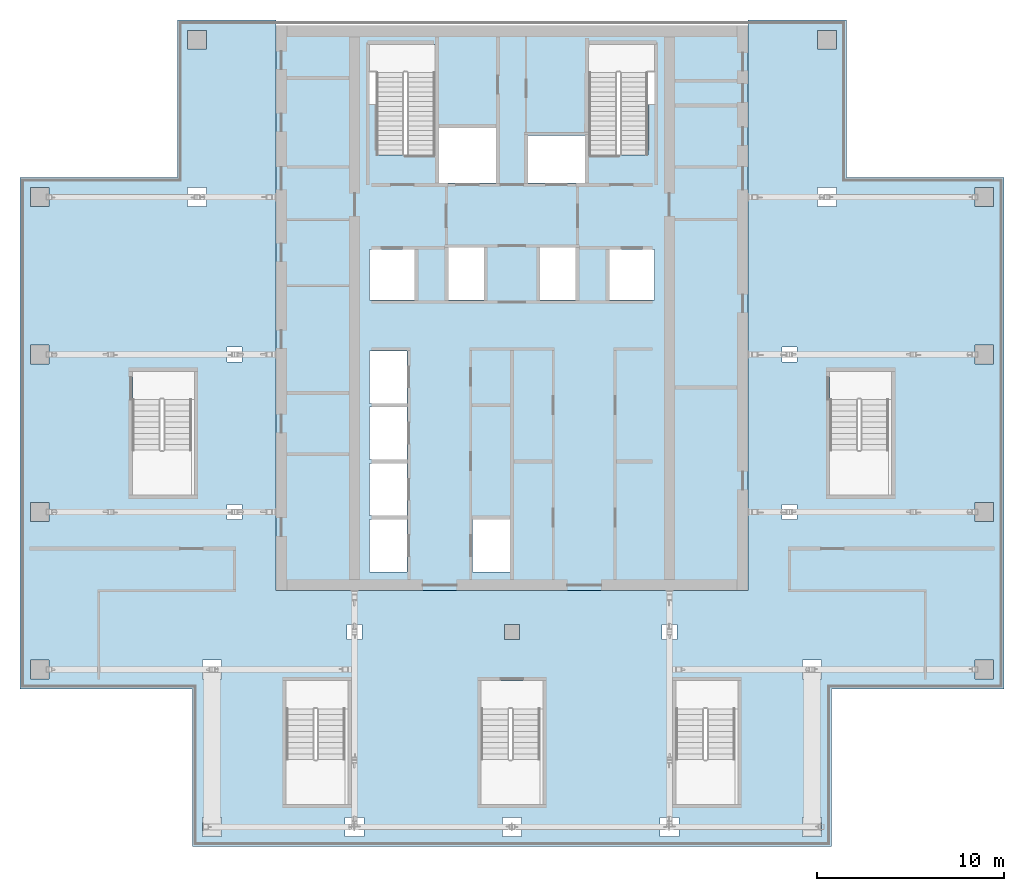
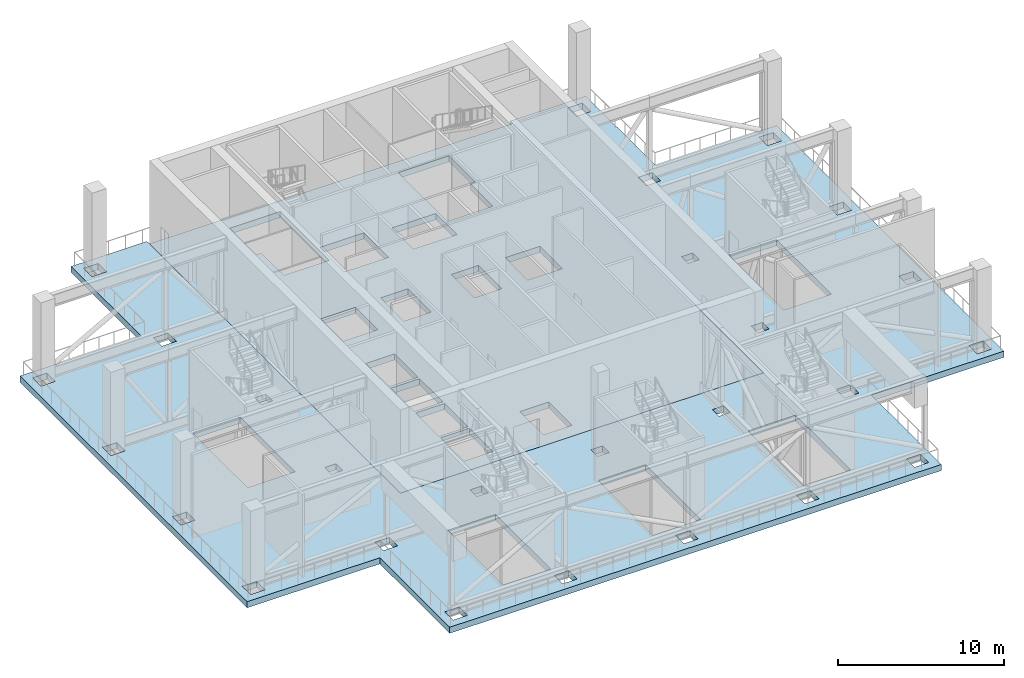
# One storey, part 7 of 24: 2 slabs.
"""IFC4 building model written with IfcOpenShell, lengths in metres."""

from ifc_helpers import new_model, si_unit, direction, frame, origin, place, context, subcontext, project, spatial, polyline, outline, extrude, material, layer, layer_set, type_object, element, save


model = new_model("IFC4")

# Units and contexts
model_context = context("Model", 3, precision=1e-05, world=origin(), true_north=direction((0.0, 1.0)))
body_context = subcontext(model_context, "Body", "Model", "MODEL_VIEW")
ifc_project = project(units=[si_unit("LENGTHUNIT", "METRE"), si_unit("AREAUNIT", "SQUARE_METRE"), si_unit("VOLUMEUNIT", "CUBIC_METRE"), si_unit("PLANEANGLEUNIT", "RADIAN"), si_unit("MASSUNIT", "GRAM", prefix="KILO")], contexts=[model_context])

# Site, building, storey
site_placement = place(None, origin())
site = spatial("IfcSite", under=ifc_project, at=site_placement, CompositionType="ELEMENT")
building_placement = place(site_placement, origin())
building = spatial("IfcBuilding", under=site, at=building_placement, Name="Vermilion Ogive Tower", CompositionType="ELEMENT")
storey_placement = place(building_placement, frame((0.0, 0.0, 216.949951171875)))
storey = spatial("IfcBuildingStorey", under=building, at=storey_placement, Name="L57", CompositionType="ELEMENT", Elevation=216.949951171875)

# Slabs
ifc_material_1 = material(Name="Concrete B40", Category="concrete")
ifc_layer_1 = layer(ifc_material_1, 0.449951171875)
ifc_layer_set_1 = layer_set([ifc_layer_1], Name="Core floor slab 450 B40")
slab_type_1 = type_object("IfcSlabType", Name="Core floor slab 450 B40", PredefinedType="FLOOR", material=ifc_layer_set_1)
slab_1_placement = place(storey_placement, frame((0.0, 0.0, -0.449951171875)))
element("IfcSlab", 1, at=slab_1_placement, inside=storey, type_object=slab_type_1, Name="L57-CK-FS1", PredefinedType="FLOOR", context=body_context, shape_type="SweptSolid", body=[
    extrude(outline(polyline([(12.60009765625, 21.75), (-12.60009765625, 21.75), (-12.60009765625, -8.39990234375), (12.60009765625, -8.39990234375), (12.60009765625, 21.75)]), holes=[polyline([(-7.60009765625, -7.39990234375), (-7.60009765625, -4.60009765625), (-5.60009765625, -4.60009765625), (-5.60009765625, -7.39990234375), (-7.60009765625, -7.39990234375)]), polyline([(-7.60009765625, -4.39990234375), (-7.60009765625, -1.60009765625), (-5.60009765625, -1.60009765625), (-5.60009765625, -4.39990234375), (-7.60009765625, -4.39990234375)]), polyline([(-7.60009765625, -1.39990234375), (-7.60009765625, 1.39990234375), (-5.60009765625, 1.39990234375), (-5.60009765625, -1.39990234375), (-7.60009765625, -1.39990234375)]), polyline([(-7.60009765625, 1.60009765625), (-7.60009765625, 4.39990234375), (-5.60009765625, 4.39990234375), (-5.60009765625, 1.60009765625), (-7.60009765625, 1.60009765625)]), polyline([(-7.60009765625, 7.10009765625), (-7.60009765625, 9.800048828125), (-5.199951171875, 9.800048828125), (-5.199951171875, 7.10009765625), (-7.60009765625, 7.10009765625)]), polyline([(-3.39990234375, 9.89990234375), (-1.5, 9.89990234375), (-1.5, 7.10009765625), (-3.39990234375, 7.10009765625), (-3.39990234375, 9.89990234375)]), polyline([(-7.60009765625, 17.550048828125), (-7.60009765625, 20.75), (-4.10009765625, 20.75), (-4.10009765625, 14.85205078125), (-5.60009765625, 14.85205078125), (-5.60009765625, 14.85009765625), (-5.75, 14.85009765625), (-5.75, 14.85205078125), (-7.25, 14.85205078125), (-7.25, 17.550048828125), (-7.60009765625, 17.550048828125)]), polyline([(-2.10009765625, -7.39990234375), (-2.10009765625, -4.60009765625), (-0.10009765625, -4.60009765625), (-0.10009765625, -7.39990234375), (-2.10009765625, -7.39990234375)]), polyline([(5.199951171875, 7.10009765625), (5.199951171875, 9.800048828125), (7.60009765625, 9.800048828125), (7.60009765625, 7.10009765625), (5.199951171875, 7.10009765625)]), polyline([(1.5, 7.10009765625), (1.5, 9.89990234375), (3.39990234375, 9.89990234375), (3.39990234375, 7.10009765625), (1.5, 7.10009765625)]), polyline([(0.85009765625, 13.35009765625), (0.85009765625, 15.89990234375), (3.89990234375, 15.89990234375), (3.89990234375, 13.35009765625), (0.85009765625, 13.35009765625)]), polyline([(-3.89990234375, 16.300048828125), (-0.85009765625, 16.300048828125), (-0.85009765625, 13.35009765625), (-3.89990234375, 13.35009765625), (-3.89990234375, 16.300048828125)]), polyline([(5.75, 14.85009765625), (5.60009765625, 14.85009765625), (5.60009765625, 14.85205078125), (4.10009765625, 14.85205078125), (4.10009765625, 17.550048828125), (4.074951171875, 17.550048828125), (4.074951171875, 20.75), (7.60009765625, 20.75), (7.60009765625, 17.550048828125), (7.25, 17.550048828125), (7.25, 14.85205078125), (5.75, 14.85205078125), (5.75, 14.85009765625)])]), origin(), (0.0, 0.0, 1.0), 0.449951171875),
])
ifc_material_2 = material(Name="Concrete B45", Category="concrete")
ifc_layer_2 = layer(ifc_material_2, 0.449951171875)
ifc_layer_set_2 = layer_set([ifc_layer_2], Name="Post-tensioned flat plate 450 B45")
slab_type_2 = type_object("IfcSlabType", Name="Post-tensioned flat plate 450 B45", PredefinedType="FLOOR", material=ifc_layer_set_2)
slab_2_placement = place(storey_placement, frame((0.0, 0.0, -0.449951171875)))
element("IfcSlab", 2, at=slab_2_placement, inside=storey, type_object=slab_type_2, Name="L57-SL-1", PredefinedType="FLOOR", context=body_context, shape_type="SweptSolid", body=[
    extrude(outline(polyline([(-17.050048828125, -13.64990234375), (-26.25, -13.64990234375), (-26.25, 13.64990234375), (-17.85009765625, 13.64990234375), (-17.85009765625, 22.050048828125), (-12.60009765625, 22.050048828125), (-12.60009765625, -8.39990234375), (12.60009765625, -8.39990234375), (12.60009765625, 22.050048828125), (17.85009765625, 22.050048828125), (17.85009765625, 13.64990234375), (26.25, 13.64990234375), (26.25, -13.64990234375), (17.050048828125, -13.64990234375), (17.050048828125, -22.050048828125), (-17.050048828125, -22.050048828125), (-17.050048828125, -13.64990234375)]), holes=[polyline([(25.699951171875, 12.10009765625), (25.699951171875, 13.10009765625), (24.699951171875, 13.10009765625), (24.699951171875, 12.10009765625), (25.699951171875, 12.10009765625)]), polyline([(25.699951171875, 3.699951171875), (25.699951171875, 4.699951171875), (24.699951171875, 4.699951171875), (24.699951171875, 3.699951171875), (25.699951171875, 3.699951171875)]), polyline([(25.699951171875, -4.699951171875), (25.699951171875, -3.699951171875), (24.699951171875, -3.699951171875), (24.699951171875, -4.699951171875), (25.699951171875, -4.699951171875)]), polyline([(25.699951171875, -13.10009765625), (25.699951171875, -12.10009765625), (24.699951171875, -12.10009765625), (24.699951171875, -13.10009765625), (25.699951171875, -13.10009765625)]), polyline([(20.25, -3.300048828125), (20.25, 3.300048828125), (16.949951171875, 3.300048828125), (16.949951171875, -3.300048828125), (20.25, -3.300048828125)]), polyline([(17.300048828125, 12.10009765625), (17.300048828125, 13.10009765625), (16.300048828125, 13.10009765625), (16.300048828125, 12.10009765625), (17.300048828125, 12.10009765625)]), polyline([(17.300048828125, 20.5), (17.300048828125, 21.5), (16.300048828125, 21.5), (16.300048828125, 20.5), (17.300048828125, 20.5)]), polyline([(16.5, -13.10009765625), (16.5, -12.10009765625), (15.5, -12.10009765625), (15.5, -13.10009765625), (16.5, -13.10009765625)]), polyline([(16.5, -21.5), (16.5, -20.5), (15.5, -20.5), (15.5, -21.5), (16.5, -21.5)]), polyline([(15.199951171875, 3.800048828125), (15.199951171875, 4.60009765625), (14.39990234375, 4.60009765625), (14.39990234375, 3.800048828125), (15.199951171875, 3.800048828125)]), polyline([(15.199951171875, -4.60009765625), (15.199951171875, -3.800048828125), (14.39990234375, -3.800048828125), (14.39990234375, -4.60009765625), (15.199951171875, -4.60009765625)]), polyline([(12.050048828125, -19.800048828125), (12.050048828125, -13.199951171875), (8.75, -13.199951171875), (8.75, -19.800048828125), (12.050048828125, -19.800048828125)]), polyline([(8.89990234375, -21.5), (8.89990234375, -20.5), (7.89990234375, -20.5), (7.89990234375, -21.5), (8.89990234375, -21.5)]), polyline([(8.800048828125, -11.0), (8.800048828125, -10.199951171875), (8.0, -10.199951171875), (8.0, -11.0), (8.800048828125, -11.0)]), polyline([(1.64990234375, -19.800048828125), (1.64990234375, -13.199951171875), (-1.64990234375, -13.199951171875), (-1.64990234375, -19.800048828125), (1.64990234375, -19.800048828125)]), polyline([(0.5, -21.5), (0.5, -20.5), (-0.5, -20.5), (-0.5, -21.5), (0.5, -21.5)]), polyline([(0.39990234375, -11.0), (0.39990234375, -10.199951171875), (-0.39990234375, -10.199951171875), (-0.39990234375, -11.0), (0.39990234375, -11.0)]), polyline([(-7.89990234375, -21.5), (-7.89990234375, -20.5), (-8.89990234375, -20.5), (-8.89990234375, -21.5), (-7.89990234375, -21.5)]), polyline([(-8.0, -11.0), (-8.0, -10.199951171875), (-8.800048828125, -10.199951171875), (-8.800048828125, -11.0), (-8.0, -11.0)]), polyline([(-8.75, -19.800048828125), (-8.75, -13.199951171875), (-12.050048828125, -13.199951171875), (-12.050048828125, -19.800048828125), (-8.75, -19.800048828125)]), polyline([(-14.39990234375, 3.800048828125), (-14.39990234375, 4.60009765625), (-15.199951171875, 4.60009765625), (-15.199951171875, 3.800048828125), (-14.39990234375, 3.800048828125)]), polyline([(-14.39990234375, -4.60009765625), (-14.39990234375, -3.800048828125), (-15.199951171875, -3.800048828125), (-15.199951171875, -4.60009765625), (-14.39990234375, -4.60009765625)]), polyline([(-15.5, -13.10009765625), (-15.5, -12.10009765625), (-16.5, -12.10009765625), (-16.5, -13.10009765625), (-15.5, -13.10009765625)]), polyline([(-15.5, -21.5), (-15.5, -20.5), (-16.5, -20.5), (-16.5, -21.5), (-15.5, -21.5)]), polyline([(-16.300048828125, 20.5), (-16.300048828125, 21.5), (-17.300048828125, 21.5), (-17.300048828125, 20.5), (-16.300048828125, 20.5)]), polyline([(-16.300048828125, 12.10009765625), (-16.300048828125, 13.10009765625), (-17.300048828125, 13.10009765625), (-17.300048828125, 12.10009765625), (-16.300048828125, 12.10009765625)]), polyline([(-16.949951171875, -3.300048828125), (-16.949951171875, 3.300048828125), (-20.25, 3.300048828125), (-20.25, -3.300048828125), (-16.949951171875, -3.300048828125)]), polyline([(-24.699951171875, -13.10009765625), (-24.699951171875, -12.10009765625), (-25.699951171875, -12.10009765625), (-25.699951171875, -13.10009765625), (-24.699951171875, -13.10009765625)]), polyline([(-24.699951171875, 12.10009765625), (-24.699951171875, 13.10009765625), (-25.699951171875, 13.10009765625), (-25.699951171875, 12.10009765625), (-24.699951171875, 12.10009765625)]), polyline([(-24.699951171875, 3.699951171875), (-24.699951171875, 4.699951171875), (-25.699951171875, 4.699951171875), (-25.699951171875, 3.699951171875), (-24.699951171875, 3.699951171875)]), polyline([(-24.699951171875, -4.699951171875), (-24.699951171875, -3.699951171875), (-25.699951171875, -3.699951171875), (-25.699951171875, -4.699951171875), (-24.699951171875, -4.699951171875)])]), origin(), (0.0, 0.0, 1.0), 0.449951171875),
])

save(model, "model.ifc")
